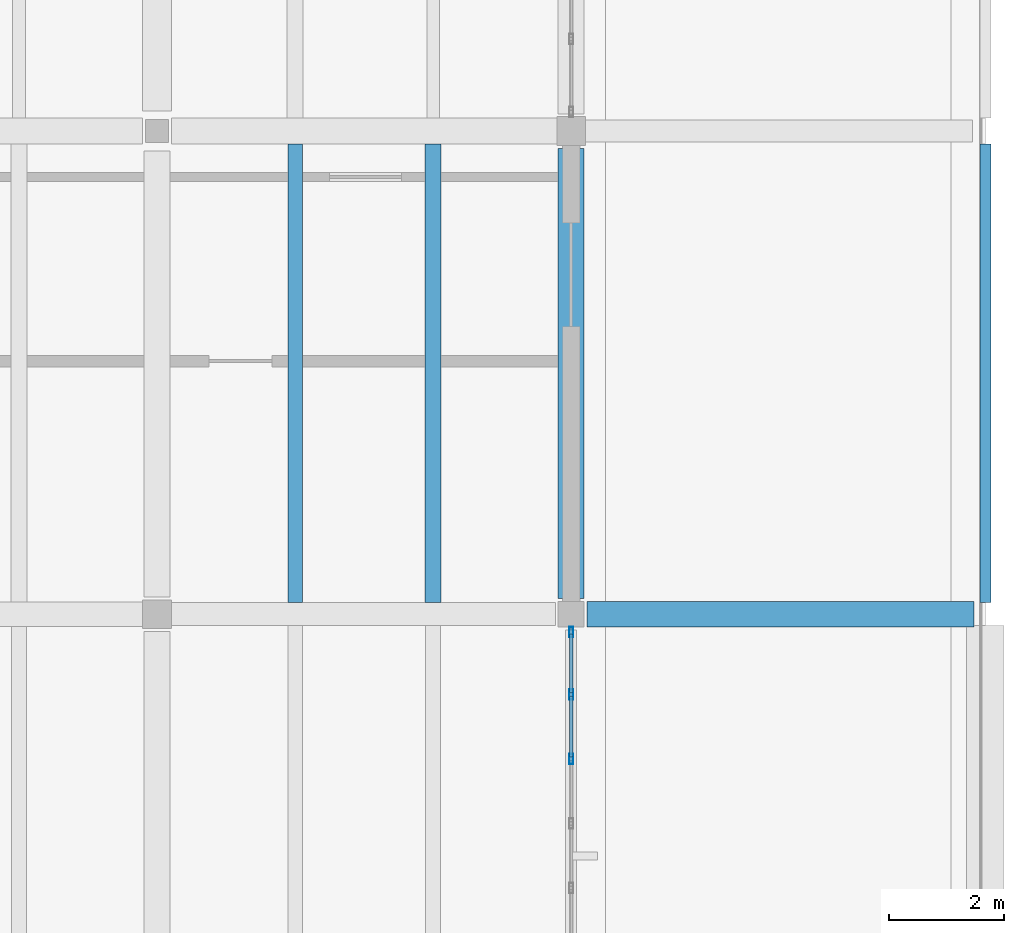
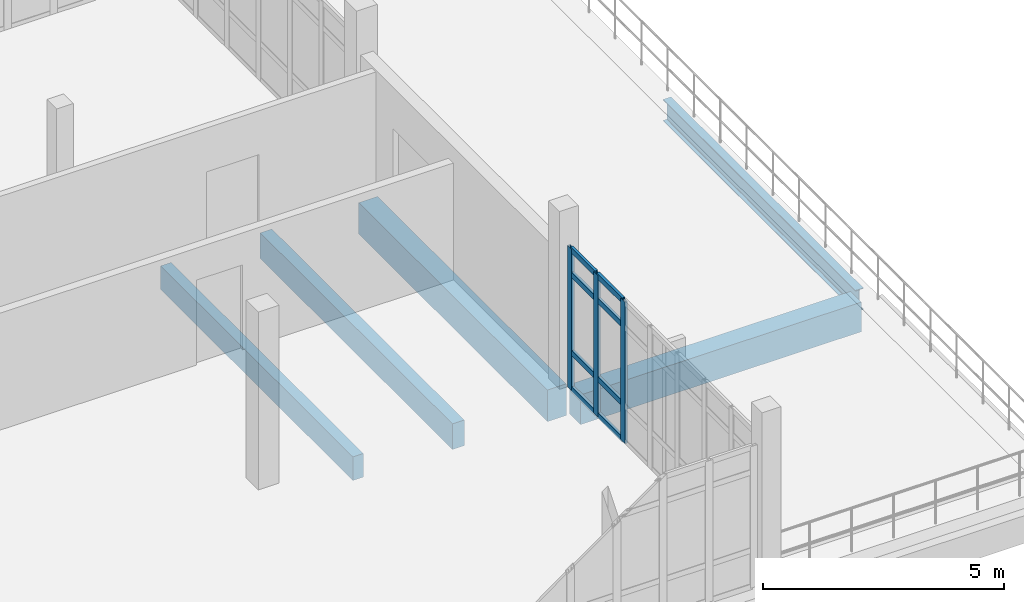
# One storey, part 22 of 41: 11 members, 5 beams, 1 element without a shape of its own.
"""IFC4 building model written with IfcOpenShell, lengths in metres."""

from ifc_helpers import new_model, si_unit, direction, frame, origin, origin_2d, place, context, subcontext, project, spatial, rectangle, hollow_rectangle, i_section, extrude, material, material_profile, profile_set, type_object, element, aggregate, save


model = new_model("IFC4")

# Units and contexts
model_context = context("Model", 3, precision=1e-05, world=origin(), true_north=direction((0.0, 1.0)))
body_context = subcontext(model_context, "Body", "Model", "MODEL_VIEW")
ifc_project = project(units=[si_unit("LENGTHUNIT", "METRE"), si_unit("AREAUNIT", "SQUARE_METRE"), si_unit("VOLUMEUNIT", "CUBIC_METRE"), si_unit("PLANEANGLEUNIT", "RADIAN"), si_unit("MASSUNIT", "GRAM", prefix="KILO")], contexts=[model_context])

# Site, building, storey
site_placement = place(None, origin())
site = spatial("IfcSite", under=ifc_project, at=site_placement, CompositionType="ELEMENT")
building_placement = place(site_placement, origin())
building = spatial("IfcBuilding", under=site, at=building_placement, Name="Kalluvel Institute of Natural Sciences", CompositionType="ELEMENT")
storey_placement = place(building_placement, frame((0.0, 0.0, 32.39990234375)))
storey = spatial("IfcBuildingStorey", under=building, at=storey_placement, Name="L07", CompositionType="ELEMENT", Elevation=32.39990234375)

# Beams
ifc_material_1 = material(Name="Steel E350 Grade 350", Category="steel")
ifc_material_profile_1 = material_profile(ifc_material_1, i_section(OverallWidth=0.18994140625, OverallDepth=0.550048828125, WebThickness=0.01123046875, FlangeThickness=0.019287109375, FilletRadius=0.01806640625, at=origin_2d()), Name="ISMB 550")
ifc_profile_set_1 = profile_set([ifc_material_profile_1], Name="Steel E350 Grade 350")
beam_type_1 = type_object("IfcBeamType", Name="BM-ISMB550", PredefinedType="BEAM", material=ifc_profile_set_1)
beam_1_placement = place(storey_placement, frame((107.60009765625, 111.39990234375, -0.594970703125), z_axis=(0.0, 1.0, 0.0), x_axis=(-1.0, 0.0, 0.0)))
element("IfcBeam", 1, at=beam_1_placement, inside=storey, type_object=beam_type_1, Name="L07 girder GIR-L07-NS-X1076-Y1112", PredefinedType="BEAM", context=body_context, shape_type="SweptSolid", body=[
    extrude(i_section(OverallWidth=0.18994140625, OverallDepth=0.550048828125, WebThickness=0.01123046875, FlangeThickness=0.019287109375, FilletRadius=0.01806640625, at=origin_2d()), origin(), (0.0, 0.0, 1.0), 7.97509765625),
])
ifc_material_2 = material(Name="Concrete M40", Category="concrete")
ifc_material_profile_2 = material_profile(ifc_material_2, rectangle(XDim=0.449951171875, YDim=0.75, at=origin_2d()), Name="RCB 450x750")
ifc_profile_set_2 = profile_set([ifc_material_profile_2], Name="Concrete M40")
beam_type_2 = type_object("IfcBeamType", Name="BM-RC450x750", PredefinedType="BEAM", material=ifc_profile_set_2)
beam_2_placement = place(storey_placement, frame((100.675048828125, 111.199951171875, -0.69482421875), z_axis=(1.0, 0.0, 0.0), x_axis=(0.0, 1.0, 0.0)))
element("IfcBeam", 2, at=beam_2_placement, inside=storey, type_object=beam_type_2, Name="L07 girder GIR-L07-EW-X1004-Y1112", PredefinedType="BEAM", context=body_context, shape_type="SweptSolid", body=[
    extrude(rectangle(XDim=0.449951171875, YDim=0.75, at=origin_2d()), origin(), (0.0, 0.0, 1.0), 6.724853515625),
])
ifc_material_profile_3 = material_profile(ifc_material_2, rectangle(XDim=0.449951171875, YDim=0.800048828125, at=origin_2d()), Name="RCB 450x800")
ifc_profile_set_3 = profile_set([ifc_material_profile_3], Name="Concrete M40")
beam_type_3 = type_object("IfcBeamType", Name="BM-RC450x800", PredefinedType="BEAM", material=ifc_profile_set_3)
beam_3_placement = place(storey_placement, frame((100.39990234375, 111.47509765625, -0.719970703125), z_axis=(0.0, 1.0, 0.0), x_axis=(-1.0, 0.0, 0.0)))
element("IfcBeam", 3, at=beam_3_placement, inside=storey, type_object=beam_type_3, Name="L07 girder GIR-L07-NS-X1004-Y1112", PredefinedType="BEAM", context=body_context, shape_type="SweptSolid", body=[
    extrude(rectangle(XDim=0.449951171875, YDim=0.800048828125, at=origin_2d()), origin(), (0.0, 0.0, 1.0), 7.824951171875),
])

# Curtain wall, members
ifc_material_3 = material(Name="Aluminium AW-6063 T6", Category="aluminium")
curtain_wall_type = type_object("IfcCurtainWallType", Name="CW-WET-45", PredefinedType="USERDEFINED", material=ifc_material_3)
curtain_wall_placement = place(storey_placement, origin())
curtain_wall = element("IfcCurtainWall", 4, at=curtain_wall_placement, inside=storey, type_object=curtain_wall_type, Name="L07 Gothic lancet curtain wall CWA-L07-X1004-Y1031", ObjectType="UNITISED LANCET FACADE", PredefinedType="USERDEFINED")
ifc_material_profile_4 = material_profile(ifc_material_3, hollow_rectangle(XDim=0.06494140625, YDim=0.179931640625, WallThickness=0.00439453125, at=origin_2d()), Name="CWM 65x180")
ifc_profile_set_4 = profile_set([ifc_material_profile_4], Name="Aluminium AW-6063 T6")
member_type_1 = type_object("IfcMemberType", Name="CWM-65x180", PredefinedType="MULLION", material=ifc_profile_set_4)
member_1_placement = place(storey_placement, frame((100.39990234375, 108.68212890625, 0.0), z_axis=(0.0, 0.0, 1.0), x_axis=(-1.0, 0.0, 0.0)))
member_1 = element("IfcMember", 5, at=member_1_placement, type_object=member_type_1, Name="CW-01 mullion 6", PredefinedType="MULLION", context=body_context, shape_type="SweptSolid", body=[
    extrude(hollow_rectangle(XDim=0.06494140625, YDim=0.179931640625, WallThickness=0.00439453125, at=origin_2d()), origin(), (0.0, 0.0, 1.0), 3.580078125),
])
member_2_placement = place(storey_placement, frame((100.39990234375, 109.803466796875, 0.0), z_axis=(0.0, 0.0, 1.0), x_axis=(-1.0, 0.0, 0.0)))
member_2 = element("IfcMember", 6, at=member_2_placement, type_object=member_type_1, Name="CW-01 mullion 7", PredefinedType="MULLION", context=body_context, shape_type="SweptSolid", body=[
    extrude(hollow_rectangle(XDim=0.06494140625, YDim=0.179931640625, WallThickness=0.00439453125, at=origin_2d()), origin(), (0.0, 0.0, 1.0), 3.580078125),
])
member_3_placement = place(storey_placement, frame((100.39990234375, 110.892578125, 0.0), z_axis=(0.0, 0.0, 1.0), x_axis=(-1.0, 0.0, 0.0)))
member_3 = element("IfcMember", 7, at=member_3_placement, type_object=member_type_1, Name="CW-01 mullion 8", PredefinedType="MULLION", context=body_context, shape_type="SweptSolid", body=[
    extrude(hollow_rectangle(XDim=0.06494140625, YDim=0.179931640625, WallThickness=0.00439453125, at=origin_2d()), origin(), (0.0, 0.0, 1.0), 3.580078125),
])
ifc_material_profile_5 = material_profile(ifc_material_3, hollow_rectangle(XDim=0.06494140625, YDim=0.139892578125, WallThickness=0.00439453125, at=origin_2d()), Name="CWT 65x140")
ifc_profile_set_5 = profile_set([ifc_material_profile_5], Name="Aluminium AW-6063 T6")
member_type_2 = type_object("IfcMemberType", Name="CWT-65x140", PredefinedType="USERDEFINED", material=ifc_profile_set_5)
member_4_placement = place(storey_placement, frame((100.39990234375, 108.714599609375, 0.03271484375), z_axis=(0.0, 1.0, 0.0), x_axis=(-1.0, 0.0, 0.0)))
member_4 = element("IfcMember", 8, at=member_4_placement, type_object=member_type_2, Name="CW-01 transom 6.1", ObjectType="TRANSOM", PredefinedType="USERDEFINED", context=body_context, shape_type="SweptSolid", body=[
    extrude(hollow_rectangle(XDim=0.06494140625, YDim=0.139892578125, WallThickness=0.00439453125, at=origin_2d()), origin(), (0.0, 0.0, 1.0), 1.056396484375),
])
member_5_placement = place(storey_placement, frame((100.39990234375, 108.714599609375, 0.9501953125), z_axis=(0.0, 1.0, 0.0), x_axis=(-1.0, 0.0, 0.0)))
member_5 = element("IfcMember", 9, at=member_5_placement, type_object=member_type_2, Name="CW-01 transom 6.2", ObjectType="TRANSOM", PredefinedType="USERDEFINED", context=body_context, shape_type="SweptSolid", body=[
    extrude(hollow_rectangle(XDim=0.06494140625, YDim=0.139892578125, WallThickness=0.00439453125, at=origin_2d()), origin(), (0.0, 0.0, 1.0), 1.056396484375),
])
member_6_placement = place(storey_placement, frame((100.39990234375, 108.714599609375, 2.93017578125), z_axis=(0.0, 1.0, 0.0), x_axis=(-1.0, 0.0, 0.0)))
member_6 = element("IfcMember", 10, at=member_6_placement, type_object=member_type_2, Name="CW-01 transom 6.3", ObjectType="TRANSOM", PredefinedType="USERDEFINED", context=body_context, shape_type="SweptSolid", body=[
    extrude(hollow_rectangle(XDim=0.06494140625, YDim=0.139892578125, WallThickness=0.00439453125, at=origin_2d()), origin(), (0.0, 0.0, 1.0), 1.056396484375),
])
member_7_placement = place(storey_placement, frame((100.39990234375, 108.714599609375, 3.547607421875), z_axis=(0.0, 1.0, 0.0), x_axis=(-1.0, 0.0, 0.0)))
member_7 = element("IfcMember", 11, at=member_7_placement, type_object=member_type_2, Name="CW-01 transom 6.4", ObjectType="TRANSOM", PredefinedType="USERDEFINED", context=body_context, shape_type="SweptSolid", body=[
    extrude(hollow_rectangle(XDim=0.06494140625, YDim=0.139892578125, WallThickness=0.00439453125, at=origin_2d()), origin(), (0.0, 0.0, 1.0), 1.056396484375),
])
member_8_placement = place(storey_placement, frame((100.39990234375, 109.836181640625, 0.03271484375), z_axis=(0.0, 1.0, 0.0), x_axis=(-1.0, 0.0, 0.0)))
member_8 = element("IfcMember", 12, at=member_8_placement, type_object=member_type_2, Name="CW-01 transom 7.1", ObjectType="TRANSOM", PredefinedType="USERDEFINED", context=body_context, shape_type="SweptSolid", body=[
    extrude(hollow_rectangle(XDim=0.06494140625, YDim=0.139892578125, WallThickness=0.00439453125, at=origin_2d()), origin(), (0.0, 0.0, 1.0), 1.02392578125),
])
member_9_placement = place(storey_placement, frame((100.39990234375, 109.836181640625, 0.9501953125), z_axis=(0.0, 1.0, 0.0), x_axis=(-1.0, 0.0, 0.0)))
member_9 = element("IfcMember", 13, at=member_9_placement, type_object=member_type_2, Name="CW-01 transom 7.2", ObjectType="TRANSOM", PredefinedType="USERDEFINED", context=body_context, shape_type="SweptSolid", body=[
    extrude(hollow_rectangle(XDim=0.06494140625, YDim=0.139892578125, WallThickness=0.00439453125, at=origin_2d()), origin(), (0.0, 0.0, 1.0), 1.02392578125),
])
member_10_placement = place(storey_placement, frame((100.39990234375, 109.836181640625, 2.93017578125), z_axis=(0.0, 1.0, 0.0), x_axis=(-1.0, 0.0, 0.0)))
member_10 = element("IfcMember", 14, at=member_10_placement, type_object=member_type_2, Name="CW-01 transom 7.3", ObjectType="TRANSOM", PredefinedType="USERDEFINED", context=body_context, shape_type="SweptSolid", body=[
    extrude(hollow_rectangle(XDim=0.06494140625, YDim=0.139892578125, WallThickness=0.00439453125, at=origin_2d()), origin(), (0.0, 0.0, 1.0), 1.02392578125),
])
member_11_placement = place(storey_placement, frame((100.39990234375, 109.836181640625, 3.547607421875), z_axis=(0.0, 1.0, 0.0), x_axis=(-1.0, 0.0, 0.0)))
member_11 = element("IfcMember", 15, at=member_11_placement, type_object=member_type_2, Name="CW-01 transom 7.4", ObjectType="TRANSOM", PredefinedType="USERDEFINED", context=body_context, shape_type="SweptSolid", body=[
    extrude(hollow_rectangle(XDim=0.06494140625, YDim=0.139892578125, WallThickness=0.00439453125, at=origin_2d()), origin(), (0.0, 0.0, 1.0), 1.02392578125),
])
aggregate(curtain_wall, [member_1, member_2, member_3, member_4, member_5, member_6, member_7, member_8, member_9, member_10, member_11])

# Beams
ifc_material_profile_6 = material_profile(ifc_material_2, rectangle(XDim=0.25, YDim=0.60009765625, at=origin_2d()), Name="WAF 250x600")
ifc_profile_set_6 = profile_set([ifc_material_profile_6], Name="Concrete M40")
beam_type_4 = type_object("IfcBeamType", Name="WJ-250x600", PredefinedType="JOIST", material=ifc_profile_set_6)
beam_4_placement = place(storey_placement, frame((95.60009765625, 111.39990234375, -0.619873046875), z_axis=(0.0, 1.0, 0.0), x_axis=(-1.0, 0.0, 0.0)))
element("IfcBeam", 16, at=beam_4_placement, inside=storey, type_object=beam_type_4, Name="L07 waffle joist RIB-L07-0571", PredefinedType="JOIST", context=body_context, shape_type="SweptSolid", body=[
    extrude(rectangle(XDim=0.25, YDim=0.60009765625, at=origin_2d()), origin(), (0.0, 0.0, 1.0), 7.97509765625),
])
ifc_material_4 = material(Name="Concrete M50", Category="concrete")
ifc_material_profile_7 = material_profile(ifc_material_4, rectangle(XDim=0.280029296875, YDim=0.64990234375, at=origin_2d()), Name="WAF 280x650")
ifc_profile_set_7 = profile_set([ifc_material_profile_7], Name="Concrete M50")
beam_type_5 = type_object("IfcBeamType", Name="WJ-280x650", PredefinedType="JOIST", material=ifc_profile_set_7)
beam_5_placement = place(storey_placement, frame((98.0, 111.39990234375, -0.64501953125), z_axis=(0.0, 1.0, 0.0), x_axis=(-1.0, 0.0, 0.0)))
element("IfcBeam", 17, at=beam_5_placement, inside=storey, type_object=beam_type_5, Name="L07 waffle joist RIB-L07-0572", PredefinedType="JOIST", context=body_context, shape_type="SweptSolid", body=[
    extrude(rectangle(XDim=0.280029296875, YDim=0.64990234375, at=origin_2d()), origin(), (0.0, 0.0, 1.0), 7.97509765625),
])

save(model, "model.ifc")
